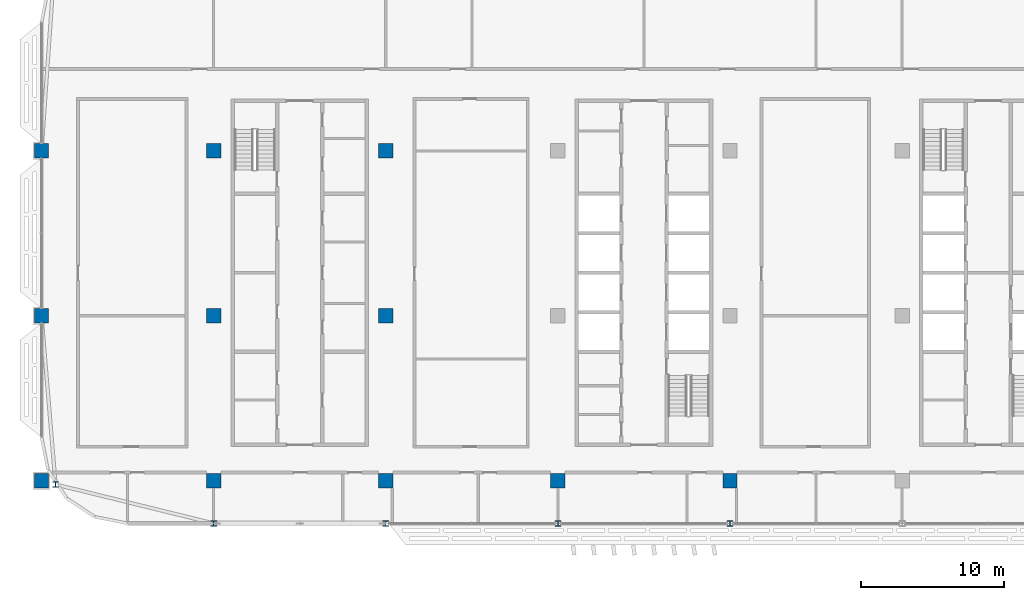
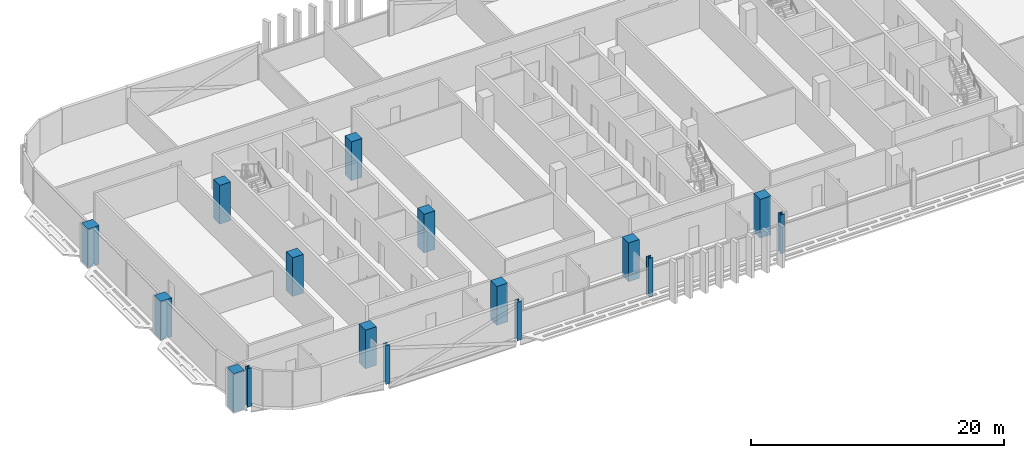
# One storey, part 1 of 33: 16 columns.
"""IFC4 building model written with IfcOpenShell, lengths in metres."""

from ifc_helpers import new_model, si_unit, direction, frame, origin, origin_2d, place, context, subcontext, project, spatial, rectangle, i_section, extrude, material, material_profile, profile_set, type_object, element, save


model = new_model("IFC4")

# Units and contexts
model_context = context("Model", 3, precision=1e-05, world=origin(), true_north=direction((0.0, 1.0)))
body_context = subcontext(model_context, "Body", "Model", "MODEL_VIEW")
ifc_project = project(units=[si_unit("LENGTHUNIT", "METRE"), si_unit("AREAUNIT", "SQUARE_METRE"), si_unit("VOLUMEUNIT", "CUBIC_METRE"), si_unit("PLANEANGLEUNIT", "RADIAN"), si_unit("MASSUNIT", "GRAM", prefix="KILO")], contexts=[model_context])

# Site, building, storey
site_placement = place(None, origin())
site = spatial("IfcSite", under=ifc_project, at=site_placement, CompositionType="ELEMENT")
building_placement = place(site_placement, origin())
building = spatial("IfcBuilding", under=site, at=building_placement, Name="Mahtab Terrace Research Tower", CompositionType="ELEMENT")
storey_placement = place(building_placement, frame((0.0, 0.0, 255.199951171875)))
storey = spatial("IfcBuildingStorey", under=building, at=storey_placement, Name="L62", CompositionType="ELEMENT", Elevation=255.199951171875)

# Columns
ifc_material_1 = material(Name="Concrete C70/85", Category="concrete")
ifc_material_profile_1 = material_profile(ifc_material_1, rectangle(XDim=1.0, YDim=1.0, at=origin_2d()), Name="RC column 1000x1000")
ifc_profile_set_1 = profile_set([ifc_material_profile_1], Name="Concrete C70/85")
column_type_1 = type_object("IfcColumnType", Name="RC column 1000x1000", PredefinedType="COLUMN", material=ifc_profile_set_1)
for number, where, z_axis, x_axis, name in (
    (1, (-42.0, -11.5, -0.33984375), (0.0, 0.0, 1.0), (1.0, 0.0, 0.0), "Column RC-1A L62"),
    (2, (-42.0, 0.0, -0.33984375), (0.0, 0.0, 1.0), (1.0, 0.0, 0.0), "Column RC-1B L62"),
    (3, (-42.0, 11.5, -0.33984375), (0.0, 0.0, 1.0), (1.0, 0.0, 0.0), "Column RC-1C L62"),
    (4, (-30.0, -11.5, -0.33984375), (0.0, 0.0, 1.0), (1.0, 0.0, 0.0), "Column RC-2A L62"),
    (5, (-30.0, 0.0, -0.33984375), (0.0, 0.0, 1.0), (1.0, 0.0, 0.0), "Column RC-2B L62"),
    (6, (-30.0, 11.5, -0.33984375), (0.0, 0.0, 1.0), (1.0, 0.0, 0.0), "Column RC-2C L62"),
    (7, (-18.0, -11.5, -0.33984375), (0.0, 0.0, 1.0), (1.0, 0.0, 0.0), "Column RC-3A L62"),
    (8, (-18.0, 0.0, -0.33984375), (0.0, 0.0, 1.0), (1.0, 0.0, 0.0), "Column RC-3B L62"),
    (9, (-18.0, 11.5, -0.33984375), (0.0, 0.0, 1.0), (1.0, 0.0, 0.0), "Column RC-3C L62"),
    (10, (-6.0, -11.5, -0.33984375), (0.0, 0.0, 1.0), (1.0, 0.0, 0.0), "Column RC-4A L62"),
    (11, (6.0, -11.5, -0.33984375), (0.0, 0.0, 1.0), (1.0, 0.0, 0.0), "Column RC-5A L62"),
):
    element("IfcColumn", number, at=place(storey_placement, frame(where, z_axis=z_axis, x_axis=x_axis)), inside=storey, type_object=column_type_1, Name=name, PredefinedType="COLUMN", context=body_context, shape_type="SweptSolid", body=[
        extrude(rectangle(XDim=1.0, YDim=1.0, at=origin_2d()), origin(), (0.0, 0.0, 1.0), 3.739990234375),
    ])
ifc_material_2 = material(Name="Steel ASTM A992 Gr 50", Category="steel")
ifc_material_profile_2 = material_profile(ifc_material_2, i_section(OverallWidth=0.398681640625, OverallDepth=0.385986328125, WebThickness=0.02099609375, FlangeThickness=0.033203125, at=origin_2d()), Name="W14X176")
ifc_profile_set_2 = profile_set([ifc_material_profile_2], Name="Steel ASTM A992 Gr 50")
column_type_2 = type_object("IfcColumnType", Name="W14x176 column CS14176", PredefinedType="COLUMN", material=ifc_profile_set_2)
for number, where, z_axis, x_axis, name in (
    (12, (-41.02099609375, -11.758056640625, -0.33984375), (0.0, 0.0, 1.0), (1.0, 0.0, 0.0), "Column SC-061 L62"),
    (13, (-30.0, -14.472900390625, -0.33984375), (0.0, 0.0, 1.0), (1.0, 0.0, 0.0), "Column SC-062 L62"),
    (14, (-18.0, -14.472900390625, -0.33984375), (0.0, 0.0, 1.0), (1.0, 0.0, 0.0), "Column SC-063 L62"),
    (15, (-6.0, -14.472900390625, -0.33984375), (0.0, 0.0, 1.0), (1.0, 0.0, 0.0), "Column SC-064 L62"),
    (16, (6.0, -14.472900390625, -0.33984375), (0.0, 0.0, 1.0), (1.0, 0.0, 0.0), "Column SC-065 L62"),
):
    element("IfcColumn", number, at=place(storey_placement, frame(where, z_axis=z_axis, x_axis=x_axis)), inside=storey, type_object=column_type_2, Name=name, PredefinedType="COLUMN", context=body_context, shape_type="SweptSolid", body=[
        extrude(i_section(OverallWidth=0.398681640625, OverallDepth=0.385986328125, WebThickness=0.02099609375, FlangeThickness=0.033203125, at=origin_2d()), origin(), (0.0, 0.0, 1.0), 3.739990234375),
    ])

save(model, "model.ifc")
